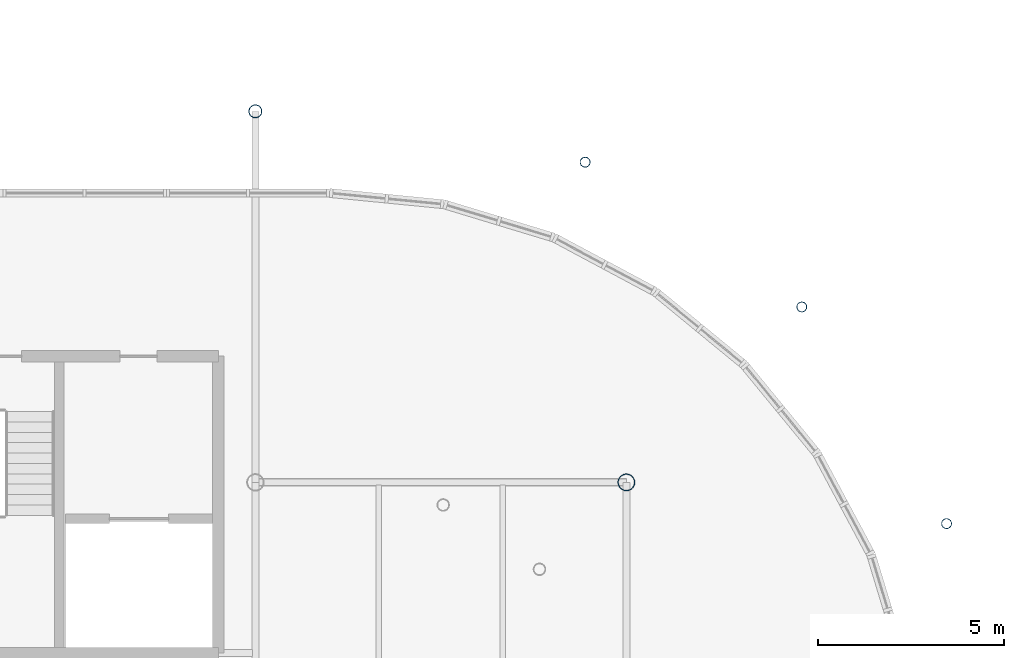
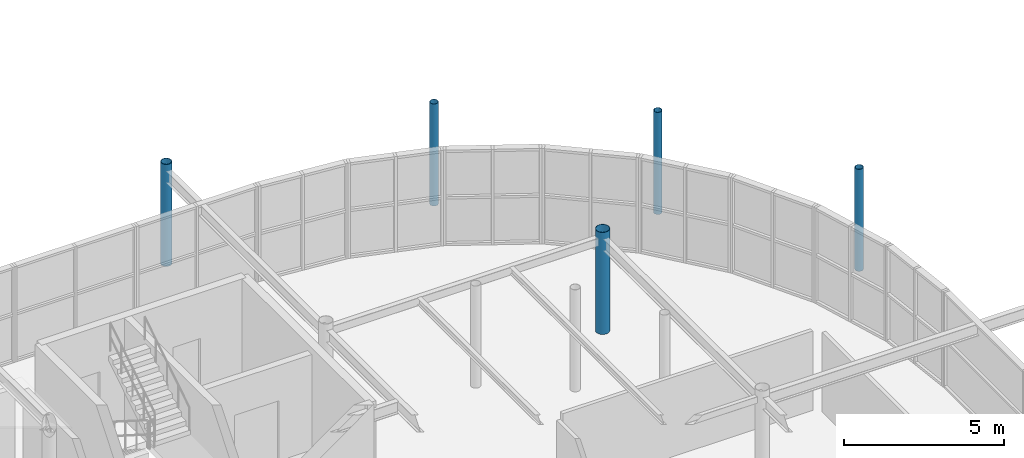
# One storey, part 31 of 98: 5 columns.
"""IFC4 building model written with IfcOpenShell, lengths in metres."""

from ifc_helpers import new_model, si_unit, derived_unit, direction, frame, origin, origin_2d_with_axis, place, context, subcontext, project, spatial, hollow_circle, extrude, material, material_profile, profile_set, type_object, element, save


model = new_model("IFC4")

# Units and contexts
model_context = context("Model", 3, precision=1e-05, world=origin(), true_north=direction((0.0, 1.0)))
body_context = subcontext(model_context, "Body", "Model", "MODEL_VIEW")
ifc_project = project(units=[si_unit("LENGTHUNIT", "METRE"), si_unit("AREAUNIT", "SQUARE_METRE"), si_unit("VOLUMEUNIT", "CUBIC_METRE"), si_unit("PLANEANGLEUNIT", "RADIAN"), si_unit("MASSUNIT", "GRAM", prefix="KILO"), derived_unit("THERMALTRANSMITTANCEUNIT", [(si_unit("POWERUNIT", "WATT"), 1), (si_unit("LENGTHUNIT", "METRE"), -2), (si_unit("THERMODYNAMICTEMPERATUREUNIT", "KELVIN"), -1)])], contexts=[model_context])

# Site, building, storey
site_placement = place(None, origin())
site = spatial("IfcSite", under=ifc_project, at=site_placement, CompositionType="ELEMENT")
building_placement = place(site_placement, origin())
building = spatial("IfcBuilding", under=site, at=building_placement, Name="Cinnabar Yard Market Hall", CompositionType="ELEMENT")
storey_placement = place(building_placement, frame((0.0, 0.0, 4.5)))
storey = spatial("IfcBuildingStorey", under=building, at=storey_placement, Name="L01", CompositionType="ELEMENT", Elevation=4.5)

# Columns
ifc_material = material(Name="Spotted-gum glulam-clad steel Grade 350 (350 MPa)", Category="steel")
ifc_material_profile_1 = material_profile(ifc_material, hollow_circle(Radius=0.228515625, WallThickness=0.0126953125, at=origin_2d_with_axis()), Name="457.0x12.7CHS")
ifc_profile_set_1 = profile_set([ifc_material_profile_1], Name="Spotted-gum glulam-clad steel Grade 350 (350 MPa)")
column_type_1 = type_object("IfcColumnType", Name="COL-C01", PredefinedType="COLUMN", material=ifc_profile_set_1)
column_1_placement = place(storey_placement, frame((156.0, 64.0, 0.0), z_axis=(0.0, 0.0, 1.0), x_axis=(1.0, 0.0, 0.0)))
element("IfcColumn", 1, at=column_1_placement, inside=storey, type_object=column_type_1, Name="Tree Column V1I-09-05 L01", PredefinedType="COLUMN", context=body_context, shape_type="SweptSolid", body=[
    extrude(hollow_circle(Radius=0.228515625, WallThickness=0.0126953125, at=origin_2d_with_axis()), origin(), (0.0, 0.0, 1.0), 3.89990234375),
])
ifc_material_profile_2 = material_profile(ifc_material, hollow_circle(Radius=0.177734375, WallThickness=0.0126953125, at=origin_2d_with_axis()), Name="355.6x12.7CHS")
ifc_profile_set_2 = profile_set([ifc_material_profile_2], Name="Spotted-gum glulam-clad steel Grade 350 (350 MPa)")
column_type_2 = type_object("IfcColumnType", Name="COL-C02E", PredefinedType="COLUMN", material=ifc_profile_set_2)
column_2_placement = place(storey_placement, frame((146.0, 74.0, 0.0), z_axis=(0.0, 0.0, 1.0), x_axis=(1.0, 0.0, 0.0)))
element("IfcColumn", 2, at=column_2_placement, inside=storey, type_object=column_type_2, Name="Tree Column V1N-07 L01", PredefinedType="COLUMN", context=body_context, shape_type="SweptSolid", body=[
    extrude(hollow_circle(Radius=0.177734375, WallThickness=0.0126953125, at=origin_2d_with_axis()), origin(), (0.0, 0.0, 1.0), 3.89990234375),
])
ifc_material_profile_3 = material_profile(ifc_material, hollow_circle(Radius=0.136474609375, WallThickness=0.00927734375, at=origin_2d_with_axis()), Name="273.1x9.3CHS")
ifc_profile_set_3 = profile_set([ifc_material_profile_3], Name="Spotted-gum glulam-clad steel Grade 350 (350 MPa)")
column_type_3 = type_object("IfcColumnType", Name="COL-C04E", PredefinedType="COLUMN", material=ifc_profile_set_3)
for number, where, z_axis, x_axis, name in (
    (3, (164.6298828125, 62.88818359375, 0.0), (0.0, 0.0, 1.0), (1.0, 0.0, 0.0), "Tree Column V1C-NE2 L01"),
    (4, (160.727783203125, 68.727783203125, 0.0), (0.0, 0.0, 1.0), (1.0, 0.0, 0.0), "Tree Column V1C-NE4 L01"),
    (5, (154.88818359375, 72.6298828125, 0.0), (0.0, 0.0, 1.0), (1.0, 0.0, 0.0), "Tree Column V1C-NE6 L01"),
):
    element("IfcColumn", number, at=place(storey_placement, frame(where, z_axis=z_axis, x_axis=x_axis)), inside=storey, type_object=column_type_3, Name=name, PredefinedType="COLUMN", context=body_context, shape_type="SweptSolid", body=[
        extrude(hollow_circle(Radius=0.136474609375, WallThickness=0.00927734375, at=origin_2d_with_axis()), origin(), (0.0, 0.0, 1.0), 3.89990234375),
    ])

save(model, "model.ifc")
